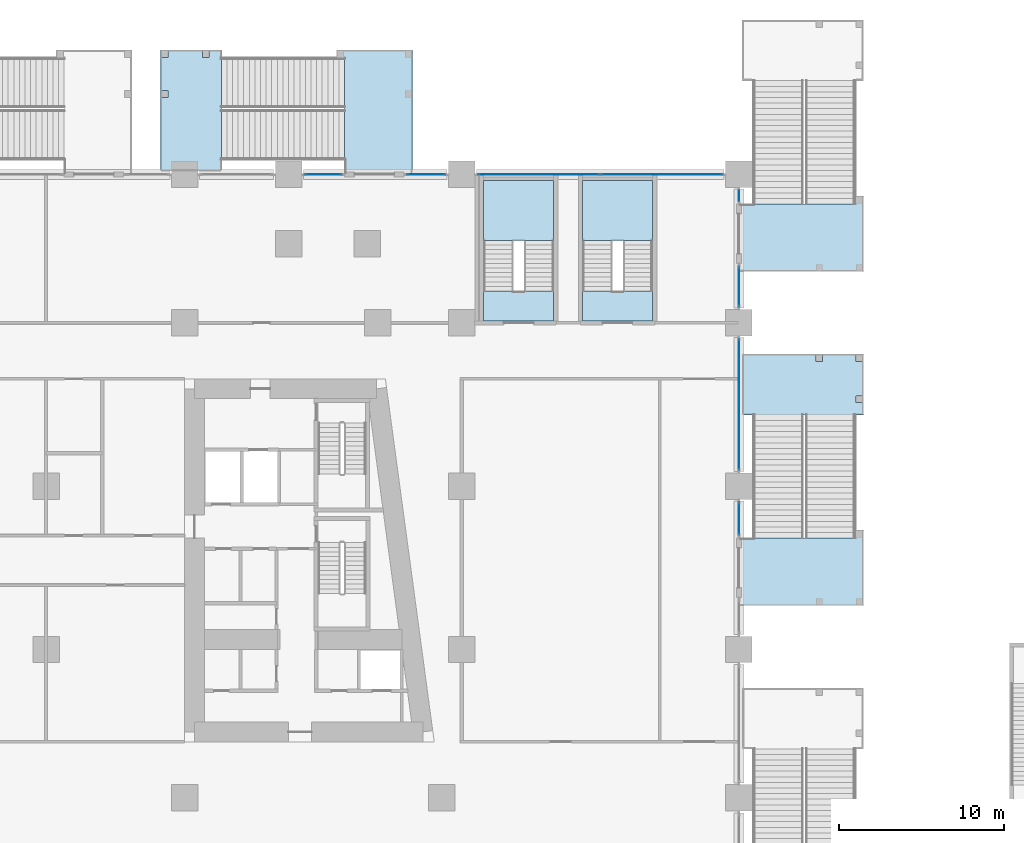
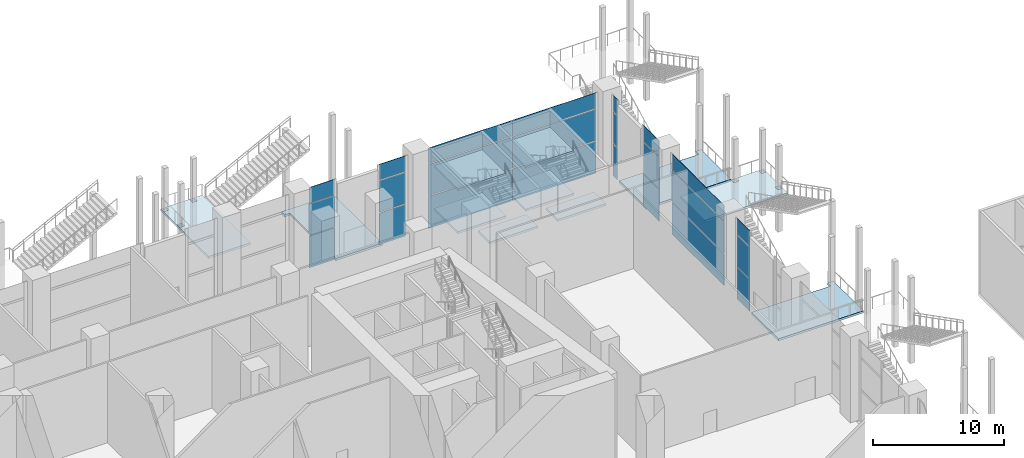
# One storey, part 21 of 52: 24 plates, 11 slabs, 11 elements without a shape of their own.
"""IFC4 building model written with IfcOpenShell, lengths in metres."""

import ifcopenshell
import ifcopenshell.guid

model = None  # the IFC model being written
_history = None  # IfcOwnerHistory: only IFC2X3 demands one
_inside = {}  # id of a spatial element -> (the spatial element, [elements in it])
_under = {}  # id of a project, library or spatial element -> (it, [spatial elements below it])
_declared = {}  # id of a project -> (the project, [libraries it declares])
_typed = {}  # id of a type object -> (the type object, [elements of that type])
_made_of = {}  # id of a material, layer set ... -> (it, [elements and type objects made of it])


def new_model(schema):
    """Start an empty IFC model of exactly this schema.

    Asked for "IFC4X3", IfcOpenShell would pick the latest addendum, in which some entities
    have other attributes; the version numbers below select the first issue.
    IFC2X3 requires an IfcOwnerHistory on every rooted entity: one is made here for all.
    """
    global model, _history
    if schema == "IFC4X3":
        model = ifcopenshell.file(schema_version=(4, 3, 0, 0))
    else:
        model = ifcopenshell.file(schema=schema)
    _inside.clear()
    _under.clear()
    _declared.clear()
    _typed.clear()
    _made_of.clear()
    _history = None
    if model.schema == "IFC2X3":
        org = make("IfcOrganization", Name="unknown")
        user = make(
            "IfcPersonAndOrganization",
            ThePerson=make("IfcPerson", FamilyName="unknown"),
            TheOrganization=org,
        )
        app = make(
            "IfcApplication",
            ApplicationDeveloper=org,
            Version="unknown",
            ApplicationFullName="unknown",
            ApplicationIdentifier="unknown",
        )
        _history = make(
            "IfcOwnerHistory",
            OwningUser=user,
            OwningApplication=app,
            ChangeAction="ADDED",
            CreationDate=0,
        )
    return model


def make(cls, **values):
    """One entity of the class cls with the attributes given. An attribute that is None is left unset."""
    return model.create_entity(
        cls, **{name: value for name, value in values.items() if value is not None}
    )


def rooted(cls, **values):
    """An entity with a GlobalId (a new one), such as an element, a storey or a relation."""
    return make(cls, GlobalId=ifcopenshell.guid.new(), OwnerHistory=_history, **values)


def si_unit(unit_type, name, prefix=None):
    """IfcSIUnit, for example si_unit("LENGTHUNIT", "METRE", prefix="MILLI")."""
    return make("IfcSIUnit", UnitType=unit_type, Prefix=prefix, Name=name)


def assignment(units):
    """IfcUnitAssignment: the units of a project."""
    return None if units is None else make("IfcUnitAssignment", Units=units)


def point(xyz):
    """IfcCartesianPoint."""
    return None if xyz is None else make("IfcCartesianPoint", Coordinates=xyz)


def direction(xyz):
    """IfcDirection."""
    return None if xyz is None else make("IfcDirection", DirectionRatios=xyz)


def frame(location, z_axis=None, x_axis=None):
    """IfcAxis2Placement3D, a coordinate frame: its origin and axes. An axis left out is left unset."""
    return make(
        "IfcAxis2Placement3D",
        Location=point(location),
        Axis=direction(z_axis),
        RefDirection=direction(x_axis),
    )


def frame_2d(location, x_axis=None):
    """IfcAxis2Placement2D, a coordinate frame in the plane: its origin and x axis."""
    return make(
        "IfcAxis2Placement2D", Location=point(location), RefDirection=direction(x_axis)
    )


def origin():
    """The frame at (0, 0, 0) with its axes left unset."""
    return frame((0.0, 0.0, 0.0))


def origin_2d():
    """The frame at (0, 0) in the plane with its x axis left unset."""
    return frame_2d((0.0, 0.0))


def place(relative_to, where):
    """IfcLocalPlacement: puts the frame where relative to a parent placement (None: the world)."""
    return make(
        "IfcLocalPlacement", PlacementRelTo=relative_to, RelativePlacement=where
    )


def context(
    kind, dimensions, precision=None, world=None, true_north=None, identifier=None
):
    """IfcGeometricRepresentationContext, for example the 3D "Model" context."""
    return make(
        "IfcGeometricRepresentationContext",
        ContextIdentifier=identifier,
        ContextType=kind,
        CoordinateSpaceDimension=dimensions,
        Precision=precision,
        WorldCoordinateSystem=world,
        TrueNorth=true_north,
    )


def subcontext(parent, identifier, kind, view, scale=None):
    """IfcGeometricRepresentationSubContext, for example "Body" below "Model"."""
    return make(
        "IfcGeometricRepresentationSubContext",
        ContextIdentifier=identifier,
        ContextType=kind,
        ParentContext=parent,
        TargetScale=scale,
        TargetView=view,
    )


def project(units=None, contexts=None):
    """IfcProject with its units and contexts."""
    return rooted(
        "IfcProject",
        Name="project",
        RepresentationContexts=contexts,
        UnitsInContext=assignment(units),
    )


def spatial(cls, under=None, at=None, **own):
    """A site, building, storey or space (cls), placed at a placement, below another one or the project."""
    s = rooted(cls, ObjectPlacement=at, **own)
    if under is not None:
        _under.setdefault(under.id(), (under, []))[1].append(s)
    return s


def polyline(points):
    """IfcPolyline through the points."""
    return make("IfcPolyline", Points=[point(p) for p in points])


def profile(cls, at=None, kind="AREA", **sizes):
    """A parametric profile (cls). Its sizes go by their IFC names, for example OverallWidth=200.0."""
    return make(cls, ProfileType=kind, Position=at, **sizes)


def rectangle(**sizes):
    """IfcRectangleProfileDef."""
    return profile("IfcRectangleProfileDef", **sizes)


def outline(outer, holes=None, kind="AREA"):
    """IfcArbitraryClosedProfileDef: a profile drawn as a closed curve; with holes, ...WithVoids."""
    if holes is None:
        return make("IfcArbitraryClosedProfileDef", ProfileType=kind, OuterCurve=outer)
    return make(
        "IfcArbitraryProfileDefWithVoids",
        ProfileType=kind,
        OuterCurve=outer,
        InnerCurves=holes,
    )


def extrude(swept, where, along, depth):
    """IfcExtrudedAreaSolid: the profile swept, set in the frame where, extruded along a direction by depth."""
    return make(
        "IfcExtrudedAreaSolid",
        SweptArea=swept,
        Position=where,
        ExtrudedDirection=direction(along),
        Depth=depth,
    )


def shape(context_of_items, identifier, shape_type, items):
    """IfcShapeRepresentation: the items that make up one representation, for example the "Body"."""
    return make(
        "IfcShapeRepresentation",
        ContextOfItems=context_of_items,
        RepresentationIdentifier=identifier,
        RepresentationType=shape_type,
        Items=items,
    )


def material(Name=None, Category=None):
    """IfcMaterial."""
    return make("IfcMaterial", Name=Name, Category=Category)


def layer(
    of_material, thickness, ventilated=None, Name=None, Category=None, Priority=None
):
    """IfcMaterialLayer: one layer of a wall or slab, of a material (None: an air gap)."""
    return make(
        "IfcMaterialLayer",
        Material=of_material,
        LayerThickness=thickness,
        IsVentilated=ventilated,
        Name=Name,
        Category=Category,
        Priority=Priority,
    )


def layer_set(layers, Name=None):
    """IfcMaterialLayerSet."""
    return make("IfcMaterialLayerSet", MaterialLayers=layers, LayerSetName=Name)


def made_of(thing, what):
    """Note that an element or type object is made of a material, layer set ...; save() writes the relation."""
    if what is not None:
        _made_of.setdefault(what.id(), (what, []))[1].append(thing)
    return thing


def type_object(cls, material=None, **own):
    """A type object (cls), such as IfcWallType, which elements share."""
    return made_of(rooted(cls, **own), material)


def element(
    cls,
    number,
    at=None,
    inside=None,
    cuts=None,
    type_object=None,
    material=None,
    context=None,
    identifier="Body",
    shape_type=None,
    held_by="IfcProductDefinitionShape",
    body=None,
    shapes=None,
    **own,
):
    """One element of the class cls, such as IfcWall. Its Tag is "e" and its number.

    at: its placement. inside: the storey or other place that contains it. cuts: it is an
    opening in that element (IfcRelVoidsElement). A single representation is given by context,
    identifier, shape_type and body (its items); several are given by shapes. held_by: the class
    of the entity that holds the representations. save() writes the other relations.
    """
    e = rooted(cls, Tag="e%d" % number, ObjectPlacement=at, **own)
    if body is not None:
        shapes = [shape(context, identifier, shape_type, body)]
    if shapes is not None:
        e.Representation = make(held_by, Representations=shapes)
    if inside is not None:
        _inside.setdefault(inside.id(), (inside, []))[1].append(e)
    if cuts is not None:
        rooted(
            "IfcRelVoidsElement", RelatingBuildingElement=cuts, RelatedOpeningElement=e
        )
    if type_object is not None:
        _typed.setdefault(type_object.id(), (type_object, []))[1].append(e)
    return made_of(e, material)


def aggregate(whole, parts):
    """IfcRelAggregates: a whole, such as a stair, and the parts it consists of."""
    return rooted("IfcRelAggregates", RelatingObject=whole, RelatedObjects=parts)


def save(model, path):
    """Write the relations noted so far, then the file.

    IfcRelAggregates (storeys below a building ...), IfcRelContainedInSpatialStructure (elements
    in a storey), IfcRelDefinesByType, IfcRelAssociatesMaterial and IfcRelDeclares: one each for
    every whole, place, type object, material and project.
    """
    for whole, parts in _under.values():
        aggregate(whole, parts)
    for where, things in _inside.values():
        rooted(
            "IfcRelContainedInSpatialStructure",
            RelatedElements=things,
            RelatingStructure=where,
        )
    for kind, things in _typed.values():
        rooted("IfcRelDefinesByType", RelatedObjects=things, RelatingType=kind)
    for what, things in _made_of.values():
        rooted("IfcRelAssociatesMaterial", RelatedObjects=things, RelatingMaterial=what)
    for by, libraries in _declared.values():
        rooted("IfcRelDeclares", RelatingContext=by, RelatedDefinitions=libraries)
    model.write(path)


model = new_model("IFC4")

# Units and contexts
model_context = context("Model", 3, precision=1e-05, world=origin(), true_north=direction((0.0, 1.0)))
body_context = subcontext(model_context, "Body", "Model", "MODEL_VIEW")
ifc_project = project(units=[si_unit("LENGTHUNIT", "METRE"), si_unit("AREAUNIT", "SQUARE_METRE"), si_unit("VOLUMEUNIT", "CUBIC_METRE"), si_unit("PLANEANGLEUNIT", "RADIAN"), si_unit("MASSUNIT", "GRAM", prefix="KILO")], contexts=[model_context])

# Site, building, storey
site_placement = place(None, origin())
site = spatial("IfcSite", under=ifc_project, at=site_placement, CompositionType="ELEMENT")
building_placement = place(site_placement, origin())
building = spatial("IfcBuilding", under=site, at=building_placement, Name="Candeia Pilgrim Tower and Theatre", CompositionType="ELEMENT")
storey_placement = place(building_placement, frame((0.0, 0.0, 9.0)))
storey = spatial("IfcBuildingStorey", under=building, at=storey_placement, Name="L01", CompositionType="ELEMENT", Elevation=9.0)

# Curtain wall, plates
ifc_material_1 = material(Name="Aluminium framed podium glazing", Category="aluminium")
curtain_wall_type = type_object("IfcCurtainWallType", Name="CW-P curtain wall", PredefinedType="NOTDEFINED", material=ifc_material_1)
curtain_wall_1_placement = place(storey_placement, origin())
curtain_wall_1 = element("IfcCurtainWall", 1, at=curtain_wall_1_placement, inside=storey, type_object=curtain_wall_type, Name="Curtain wall CW-P L01.160", PredefinedType="NOTDEFINED")
ifc_material_2 = material(Name="Laminated low-iron glass 2 x 8 mm", Category="glass")
ifc_layer_1 = layer(ifc_material_2, 0.035888671875)
ifc_layer_set_1 = layer_set([ifc_layer_1], Name="CW-P glass panel 36")
plate_type = type_object("IfcPlateType", Name="CW-P glass panel 36", PredefinedType="CURTAIN_PANEL", material=ifc_layer_set_1)
plate_1_placement = place(storey_placement, frame((134.39990234375, 144.800048828125, 0.0), z_axis=(0.0, 0.0, 1.0), x_axis=(1.0, 0.0, 0.0)))
plate_1 = element("IfcPlate", 2, at=plate_1_placement, type_object=plate_type, Name="CW-P panel 1.1", PredefinedType="CURTAIN_PANEL", context=body_context, shape_type="SweptSolid", body=[
    extrude(rectangle(XDim=2.219970703125, YDim=0.035888671875, at=origin_2d()), origin(), (0.0, 0.0, 1.0), 2.9599609375),
])
plate_2_placement = place(storey_placement, frame((134.39990234375, 144.800048828125, 3.0400390625), z_axis=(0.0, 0.0, 1.0), x_axis=(1.0, 0.0, 0.0)))
plate_2 = element("IfcPlate", 3, at=plate_2_placement, type_object=plate_type, Name="CW-P panel 1.2", PredefinedType="CURTAIN_PANEL", context=body_context, shape_type="SweptSolid", body=[
    extrude(rectangle(XDim=2.219970703125, YDim=0.035888671875, at=origin_2d()), origin(), (0.0, 0.0, 1.0), 2.919921875),
])
plate_3_placement = place(storey_placement, frame((134.39990234375, 144.800048828125, 6.0400390625), z_axis=(0.0, 0.0, 1.0), x_axis=(1.0, 0.0, 0.0)))
plate_3 = element("IfcPlate", 4, at=plate_3_placement, type_object=plate_type, Name="CW-P panel 1.3", PredefinedType="CURTAIN_PANEL", context=body_context, shape_type="SweptSolid", body=[
    extrude(rectangle(XDim=2.219970703125, YDim=0.035888671875, at=origin_2d()), origin(), (0.0, 0.0, 1.0), 1.4599609375),
])
aggregate(curtain_wall_1, [plate_1, plate_2, plate_3])

curtain_wall_2_placement = place(storey_placement, origin())
curtain_wall_2 = element("IfcCurtainWall", 5, at=curtain_wall_2_placement, inside=storey, type_object=curtain_wall_type, Name="Curtain wall CW-P L01.161", PredefinedType="NOTDEFINED")
plate_4_placement = place(storey_placement, frame((140.64990234375, 144.800048828125, 0.0), z_axis=(0.0, 0.0, 1.0), x_axis=(1.0, 0.0, 0.0)))
plate_4 = element("IfcPlate", 6, at=plate_4_placement, type_object=plate_type, Name="CW-P panel 1.1", PredefinedType="CURTAIN_PANEL", context=body_context, shape_type="SweptSolid", body=[
    extrude(rectangle(XDim=2.320068359375, YDim=0.035888671875, at=origin_2d()), origin(), (0.0, 0.0, 1.0), 2.9599609375),
])
plate_5_placement = place(storey_placement, frame((140.64990234375, 144.800048828125, 3.0400390625), z_axis=(0.0, 0.0, 1.0), x_axis=(1.0, 0.0, 0.0)))
plate_5 = element("IfcPlate", 7, at=plate_5_placement, type_object=plate_type, Name="CW-P panel 1.2", PredefinedType="CURTAIN_PANEL", context=body_context, shape_type="SweptSolid", body=[
    extrude(rectangle(XDim=2.320068359375, YDim=0.035888671875, at=origin_2d()), origin(), (0.0, 0.0, 1.0), 2.919921875),
])
plate_6_placement = place(storey_placement, frame((140.64990234375, 144.800048828125, 6.0400390625), z_axis=(0.0, 0.0, 1.0), x_axis=(1.0, 0.0, 0.0)))
plate_6 = element("IfcPlate", 8, at=plate_6_placement, type_object=plate_type, Name="CW-P panel 1.3", PredefinedType="CURTAIN_PANEL", context=body_context, shape_type="SweptSolid", body=[
    extrude(rectangle(XDim=2.320068359375, YDim=0.035888671875, at=origin_2d()), origin(), (0.0, 0.0, 1.0), 1.4599609375),
])
aggregate(curtain_wall_2, [plate_4, plate_5, plate_6])

curtain_wall_3_placement = place(storey_placement, origin())
curtain_wall_3 = element("IfcCurtainWall", 9, at=curtain_wall_3_placement, inside=storey, type_object=curtain_wall_type, Name="Curtain wall CW-P L01.170", PredefinedType="NOTDEFINED")
plate_7_placement = place(storey_placement, frame((147.47509765625, 144.800048828125, 0.0), z_axis=(0.0, 0.0, 1.0), x_axis=(1.0, 0.0, 0.0)))
plate_7 = element("IfcPlate", 10, at=plate_7_placement, type_object=plate_type, Name="CW-P panel 1.1", PredefinedType="CURTAIN_PANEL", context=body_context, shape_type="SweptSolid", body=[
    extrude(rectangle(XDim=7.3701171875, YDim=0.035888671875, at=origin_2d()), origin(), (0.0, 0.0, 1.0), 2.9599609375),
])
plate_8_placement = place(storey_placement, frame((147.47509765625, 144.800048828125, 3.0400390625), z_axis=(0.0, 0.0, 1.0), x_axis=(1.0, 0.0, 0.0)))
plate_8 = element("IfcPlate", 11, at=plate_8_placement, type_object=plate_type, Name="CW-P panel 1.2", PredefinedType="CURTAIN_PANEL", context=body_context, shape_type="SweptSolid", body=[
    extrude(rectangle(XDim=7.3701171875, YDim=0.035888671875, at=origin_2d()), origin(), (0.0, 0.0, 1.0), 2.919921875),
])
plate_9_placement = place(storey_placement, frame((147.47509765625, 144.800048828125, 6.0400390625), z_axis=(0.0, 0.0, 1.0), x_axis=(1.0, 0.0, 0.0)))
plate_9 = element("IfcPlate", 12, at=plate_9_placement, type_object=plate_type, Name="CW-P panel 1.3", PredefinedType="CURTAIN_PANEL", context=body_context, shape_type="SweptSolid", body=[
    extrude(rectangle(XDim=7.3701171875, YDim=0.035888671875, at=origin_2d()), origin(), (0.0, 0.0, 1.0), 1.4599609375),
])
plate_10_placement = place(storey_placement, frame((154.925048828125, 144.800048828125, 0.0), z_axis=(0.0, 0.0, 1.0), x_axis=(1.0, 0.0, 0.0)))
plate_10 = element("IfcPlate", 13, at=plate_10_placement, type_object=plate_type, Name="CW-P panel 2.1", PredefinedType="CURTAIN_PANEL", context=body_context, shape_type="SweptSolid", body=[
    extrude(rectangle(XDim=7.3701171875, YDim=0.035888671875, at=origin_2d()), origin(), (0.0, 0.0, 1.0), 2.9599609375),
])
plate_11_placement = place(storey_placement, frame((154.925048828125, 144.800048828125, 3.0400390625), z_axis=(0.0, 0.0, 1.0), x_axis=(1.0, 0.0, 0.0)))
plate_11 = element("IfcPlate", 14, at=plate_11_placement, type_object=plate_type, Name="CW-P panel 2.2", PredefinedType="CURTAIN_PANEL", context=body_context, shape_type="SweptSolid", body=[
    extrude(rectangle(XDim=7.3701171875, YDim=0.035888671875, at=origin_2d()), origin(), (0.0, 0.0, 1.0), 2.919921875),
])
plate_12_placement = place(storey_placement, frame((154.925048828125, 144.800048828125, 6.0400390625), z_axis=(0.0, 0.0, 1.0), x_axis=(1.0, 0.0, 0.0)))
plate_12 = element("IfcPlate", 15, at=plate_12_placement, type_object=plate_type, Name="CW-P panel 2.3", PredefinedType="CURTAIN_PANEL", context=body_context, shape_type="SweptSolid", body=[
    extrude(rectangle(XDim=7.3701171875, YDim=0.035888671875, at=origin_2d()), origin(), (0.0, 0.0, 1.0), 1.4599609375),
])
aggregate(curtain_wall_3, [plate_7, plate_8, plate_9, plate_10, plate_11, plate_12])

curtain_wall_4_placement = place(storey_placement, origin())
curtain_wall_4 = element("IfcCurtainWall", 16, at=curtain_wall_4_placement, inside=storey, type_object=curtain_wall_type, Name="Curtain wall CW-P L01.200", PredefinedType="NOTDEFINED")
plate_13_placement = place(storey_placement, frame((159.60009765625, 143.5, 0.0), z_axis=(0.0, 0.0, 1.0), x_axis=(0.0, -1.0, 0.0)))
plate_13 = element("IfcPlate", 17, at=plate_13_placement, type_object=plate_type, Name="CW-P panel 1.1", PredefinedType="CURTAIN_PANEL", context=body_context, shape_type="SweptSolid", body=[
    extrude(rectangle(XDim=0.6201171875, YDim=0.035888671875, at=origin_2d()), origin(), (0.0, 0.0, 1.0), 2.9599609375),
])
plate_14_placement = place(storey_placement, frame((159.60009765625, 143.5, 3.0400390625), z_axis=(0.0, 0.0, 1.0), x_axis=(0.0, -1.0, 0.0)))
plate_14 = element("IfcPlate", 18, at=plate_14_placement, type_object=plate_type, Name="CW-P panel 1.2", PredefinedType="CURTAIN_PANEL", context=body_context, shape_type="SweptSolid", body=[
    extrude(rectangle(XDim=0.6201171875, YDim=0.035888671875, at=origin_2d()), origin(), (0.0, 0.0, 1.0), 2.919921875),
])
plate_15_placement = place(storey_placement, frame((159.60009765625, 143.5, 6.0400390625), z_axis=(0.0, 0.0, 1.0), x_axis=(0.0, -1.0, 0.0)))
plate_15 = element("IfcPlate", 19, at=plate_15_placement, type_object=plate_type, Name="CW-P panel 1.3", PredefinedType="CURTAIN_PANEL", context=body_context, shape_type="SweptSolid", body=[
    extrude(rectangle(XDim=0.6201171875, YDim=0.035888671875, at=origin_2d()), origin(), (0.0, 0.0, 1.0), 1.4599609375),
])
aggregate(curtain_wall_4, [plate_13, plate_14, plate_15])

curtain_wall_5_placement = place(storey_placement, origin())
curtain_wall_5 = element("IfcCurtainWall", 20, at=curtain_wall_5_placement, inside=storey, type_object=curtain_wall_type, Name="Curtain wall CW-P L01.201", PredefinedType="NOTDEFINED")
plate_16_placement = place(storey_placement, frame((159.60009765625, 138.0, 0.0), z_axis=(0.0, 0.0, 1.0), x_axis=(0.0, -1.0, 0.0)))
plate_16 = element("IfcPlate", 21, at=plate_16_placement, type_object=plate_type, Name="CW-P panel 1.1", PredefinedType="CURTAIN_PANEL", context=body_context, shape_type="SweptSolid", body=[
    extrude(rectangle(XDim=2.419921875, YDim=0.035888671875, at=origin_2d()), origin(), (0.0, 0.0, 1.0), 2.9599609375),
])
plate_17_placement = place(storey_placement, frame((159.60009765625, 138.0, 3.0400390625), z_axis=(0.0, 0.0, 1.0), x_axis=(0.0, -1.0, 0.0)))
plate_17 = element("IfcPlate", 22, at=plate_17_placement, type_object=plate_type, Name="CW-P panel 1.2", PredefinedType="CURTAIN_PANEL", context=body_context, shape_type="SweptSolid", body=[
    extrude(rectangle(XDim=2.419921875, YDim=0.035888671875, at=origin_2d()), origin(), (0.0, 0.0, 1.0), 2.919921875),
])
plate_18_placement = place(storey_placement, frame((159.60009765625, 138.0, 6.0400390625), z_axis=(0.0, 0.0, 1.0), x_axis=(0.0, -1.0, 0.0)))
plate_18 = element("IfcPlate", 23, at=plate_18_placement, type_object=plate_type, Name="CW-P panel 1.3", PredefinedType="CURTAIN_PANEL", context=body_context, shape_type="SweptSolid", body=[
    extrude(rectangle(XDim=2.419921875, YDim=0.035888671875, at=origin_2d()), origin(), (0.0, 0.0, 1.0), 1.4599609375),
])
aggregate(curtain_wall_5, [plate_16, plate_17, plate_18])

curtain_wall_6_placement = place(storey_placement, origin())
curtain_wall_6 = element("IfcCurtainWall", 24, at=curtain_wall_6_placement, inside=storey, type_object=curtain_wall_type, Name="Curtain wall CW-P L01.210", PredefinedType="NOTDEFINED")
plate_19_placement = place(storey_placement, frame((159.60009765625, 130.85009765625, 0.0), z_axis=(0.0, 0.0, 1.0), x_axis=(0.0, -1.0, 0.0)))
plate_19 = element("IfcPlate", 25, at=plate_19_placement, type_object=plate_type, Name="CW-P panel 1.1", PredefinedType="CURTAIN_PANEL", context=body_context, shape_type="SweptSolid", body=[
    extrude(rectangle(XDim=7.919921875, YDim=0.035888671875, at=origin_2d()), origin(), (0.0, 0.0, 1.0), 2.9599609375),
])
plate_20_placement = place(storey_placement, frame((159.60009765625, 130.85009765625, 3.0400390625), z_axis=(0.0, 0.0, 1.0), x_axis=(0.0, -1.0, 0.0)))
plate_20 = element("IfcPlate", 26, at=plate_20_placement, type_object=plate_type, Name="CW-P panel 1.2", PredefinedType="CURTAIN_PANEL", context=body_context, shape_type="SweptSolid", body=[
    extrude(rectangle(XDim=7.919921875, YDim=0.035888671875, at=origin_2d()), origin(), (0.0, 0.0, 1.0), 2.919921875),
])
plate_21_placement = place(storey_placement, frame((159.60009765625, 130.85009765625, 6.0400390625), z_axis=(0.0, 0.0, 1.0), x_axis=(0.0, -1.0, 0.0)))
plate_21 = element("IfcPlate", 27, at=plate_21_placement, type_object=plate_type, Name="CW-P panel 1.3", PredefinedType="CURTAIN_PANEL", context=body_context, shape_type="SweptSolid", body=[
    extrude(rectangle(XDim=7.919921875, YDim=0.035888671875, at=origin_2d()), origin(), (0.0, 0.0, 1.0), 1.4599609375),
])
aggregate(curtain_wall_6, [plate_19, plate_20, plate_21])

curtain_wall_7_placement = place(storey_placement, origin())
curtain_wall_7 = element("IfcCurtainWall", 28, at=curtain_wall_7_placement, inside=storey, type_object=curtain_wall_type, Name="Curtain wall CW-P L01.220", PredefinedType="NOTDEFINED")
plate_22_placement = place(storey_placement, frame((159.60009765625, 123.925048828125, 0.0), z_axis=(0.0, 0.0, 1.0), x_axis=(0.0, -1.0, 0.0)))
plate_22 = element("IfcPlate", 29, at=plate_22_placement, type_object=plate_type, Name="CW-P panel 1.1", PredefinedType="CURTAIN_PANEL", context=body_context, shape_type="SweptSolid", body=[
    extrude(rectangle(XDim=1.969970703125, YDim=0.035888671875, at=origin_2d()), origin(), (0.0, 0.0, 1.0), 2.9599609375),
])
plate_23_placement = place(storey_placement, frame((159.60009765625, 123.925048828125, 3.0400390625), z_axis=(0.0, 0.0, 1.0), x_axis=(0.0, -1.0, 0.0)))
plate_23 = element("IfcPlate", 30, at=plate_23_placement, type_object=plate_type, Name="CW-P panel 1.2", PredefinedType="CURTAIN_PANEL", context=body_context, shape_type="SweptSolid", body=[
    extrude(rectangle(XDim=1.969970703125, YDim=0.035888671875, at=origin_2d()), origin(), (0.0, 0.0, 1.0), 2.919921875),
])
plate_24_placement = place(storey_placement, frame((159.60009765625, 123.925048828125, 6.0400390625), z_axis=(0.0, 0.0, 1.0), x_axis=(0.0, -1.0, 0.0)))
plate_24 = element("IfcPlate", 31, at=plate_24_placement, type_object=plate_type, Name="CW-P panel 1.3", PredefinedType="CURTAIN_PANEL", context=body_context, shape_type="SweptSolid", body=[
    extrude(rectangle(XDim=1.969970703125, YDim=0.035888671875, at=origin_2d()), origin(), (0.0, 0.0, 1.0), 1.4599609375),
])
aggregate(curtain_wall_7, [plate_22, plate_23, plate_24])

# Slabs
ifc_material_3 = material(Name="Concrete C40/50", Category="concrete")
ifc_layer_2 = layer(ifc_material_3, 0.199951171875)
ifc_layer_set_2 = layer_set([ifc_layer_2], Name="SL-EXT stair landing")
slab_type_1 = type_object("IfcSlabType", Name="SL-EXT stair landing", PredefinedType="LANDING", material=ifc_layer_set_2)
slab_1_placement = place(storey_placement, frame((0.0, 0.0, -0.199951171875)))
element("IfcSlab", 32, at=slab_1_placement, inside=storey, type_object=slab_type_1, Name="L01 External escape stair ES2 floor landing", PredefinedType="LANDING", context=body_context, shape_type="SweptSolid", body=[
    extrude(outline(polyline([(159.64990234375, 138.89990234375), (159.64990234375, 143.02001953125), (166.64990234375, 143.02001953125), (166.64990234375, 143.5), (167.14990234375, 143.5), (167.14990234375, 138.89990234375), (159.64990234375, 138.89990234375)])), origin(), (0.0, 0.0, 1.0), 0.199951171875),
])
slab_2_placement = place(storey_placement, frame((0.0, 0.0, -0.199951171875)))
element("IfcSlab", 33, at=slab_2_placement, inside=storey, type_object=slab_type_1, Name="L01 External escape stair ES7 floor landing", PredefinedType="LANDING", context=body_context, shape_type="SweptSolid", body=[
    extrude(outline(polyline([(139.800048828125, 144.85009765625), (135.679931640625, 144.85009765625), (135.679931640625, 151.85009765625), (135.199951171875, 151.85009765625), (135.199951171875, 152.35009765625), (139.800048828125, 152.35009765625), (139.800048828125, 144.85009765625)])), origin(), (0.0, 0.0, 1.0), 0.199951171875),
])

# Stair, slab
stair_type_1 = type_object("IfcStairType", Name="ST-EXT external escape stair", PredefinedType="HALF_TURN_STAIR", material=ifc_material_3)
stair_1_placement = place(storey_placement, origin())
stair_1 = element("IfcStair", 34, at=stair_1_placement, inside=storey, type_object=stair_type_1, Name="L01 External escape stair ES7", PredefinedType="HALF_TURN_STAIR")
slab_3_placement = place(storey_placement, frame((0.0, 0.0, 3.800048828125)))
slab_3 = element("IfcSlab", 35, at=slab_3_placement, type_object=slab_type_1, Name="L01 External escape stair ES7 landing", PredefinedType="LANDING", context=body_context, shape_type="SweptSolid", body=[
    extrude(outline(polyline([(128.239990234375, 145.0), (124.5400390625, 145.0), (124.5400390625, 152.35009765625), (128.239990234375, 152.35009765625), (128.239990234375, 145.0)]), holes=[polyline([(127.090087890625, 151.89990234375), (127.489990234375, 151.89990234375), (127.489990234375, 152.300048828125), (127.090087890625, 152.300048828125), (127.090087890625, 151.89990234375)]), polyline([(124.590087890625, 151.89990234375), (124.989990234375, 151.89990234375), (124.989990234375, 152.300048828125), (124.590087890625, 152.300048828125), (124.590087890625, 151.89990234375)]), polyline([(124.590087890625, 149.47509765625), (124.989990234375, 149.47509765625), (124.989990234375, 149.875), (124.590087890625, 149.875), (124.590087890625, 149.47509765625)])]), origin(), (0.0, 0.0, 1.0), 0.199951171875),
])
aggregate(stair_1, [slab_3])

# Slab
slab_4_placement = place(storey_placement, frame((0.0, 0.0, -0.199951171875)))
element("IfcSlab", 36, at=slab_4_placement, inside=storey, type_object=slab_type_1, Name="L01 External escape stair ES14 floor landing", PredefinedType="LANDING", context=body_context, shape_type="SweptSolid", body=[
    extrude(outline(polyline([(159.64990234375, 118.64990234375), (159.64990234375, 122.77001953125), (166.64990234375, 122.77001953125), (166.64990234375, 123.25), (167.14990234375, 123.25), (167.14990234375, 118.64990234375), (159.64990234375, 118.64990234375)])), origin(), (0.0, 0.0, 1.0), 0.199951171875),
])

# Stair, slab
stair_2_placement = place(storey_placement, origin())
stair_2 = element("IfcStair", 37, at=stair_2_placement, inside=storey, type_object=stair_type_1, Name="L01 External escape stair ES14", PredefinedType="HALF_TURN_STAIR")
slab_5_placement = place(storey_placement, frame((0.0, 0.0, 3.800048828125)))
slab_5 = element("IfcSlab", 38, at=slab_5_placement, type_object=slab_type_1, Name="L01 External escape stair ES14 landing", PredefinedType="LANDING", context=body_context, shape_type="SweptSolid", body=[
    extrude(outline(polyline([(159.800048828125, 130.2099609375), (159.800048828125, 133.909912109375), (167.14990234375, 133.909912109375), (167.14990234375, 130.2099609375), (159.800048828125, 130.2099609375)]), holes=[polyline([(166.699951171875, 130.9599609375), (167.10009765625, 130.9599609375), (167.10009765625, 131.360107421875), (166.699951171875, 131.360107421875), (166.699951171875, 130.9599609375)]), polyline([(166.699951171875, 133.4599609375), (167.10009765625, 133.4599609375), (167.10009765625, 133.860107421875), (166.699951171875, 133.860107421875), (166.699951171875, 133.4599609375)]), polyline([(164.27490234375, 133.4599609375), (164.675048828125, 133.4599609375), (164.675048828125, 133.860107421875), (164.27490234375, 133.860107421875), (164.27490234375, 133.4599609375)])]), origin(), (0.0, 0.0, 1.0), 0.199951171875),
])
aggregate(stair_2, [slab_5])

# Stair, slabs
stair_type_2 = type_object("IfcStairType", Name="ST-POD dog-leg escape stair", PredefinedType="HALF_TURN_STAIR", material=ifc_material_3)
stair_3_placement = place(storey_placement, origin())
stair_3 = element("IfcStair", 39, at=stair_3_placement, inside=storey, type_object=stair_type_2, Name="L01 Escape stair PS3", PredefinedType="HALF_TURN_STAIR")
ifc_layer_3 = layer(ifc_material_3, 0.199951171875)
ifc_layer_set_3 = layer_set([ifc_layer_3], Name="SL-POD stair landing")
slab_type_2 = type_object("IfcSlabType", Name="SL-POD stair landing", PredefinedType="LANDING", material=ifc_layer_set_3)
slab_6_placement = place(storey_placement, frame((0.0, 0.0, 1.800048828125)))
slab_6 = element("IfcSlab", 40, at=slab_6_placement, type_object=slab_type_2, Name="PS3 landing 1", PredefinedType="LANDING", context=body_context, shape_type="SweptSolid", body=[
    extrude(outline(polyline([(148.375, 140.804931640625), (148.375, 144.425048828125), (144.125, 144.425048828125), (144.125, 140.804931640625), (148.375, 140.804931640625)])), origin(), (0.0, 0.0, 1.0), 0.199951171875),
])
slab_7_placement = place(storey_placement, frame((0.0, 0.0, 3.800048828125)))
slab_7 = element("IfcSlab", 41, at=slab_7_placement, type_object=slab_type_2, Name="PS3 landing 2", PredefinedType="LANDING", context=body_context, shape_type="SweptSolid", body=[
    extrude(outline(polyline([(148.375, 135.925048828125), (148.375, 137.72509765625), (144.125, 137.72509765625), (144.125, 135.925048828125), (148.375, 135.925048828125)])), origin(), (0.0, 0.0, 1.0), 0.199951171875),
])
slab_8_placement = place(storey_placement, frame((0.0, 0.0, 5.800048828125)))
slab_8 = element("IfcSlab", 42, at=slab_8_placement, type_object=slab_type_2, Name="PS3 landing 3", PredefinedType="LANDING", context=body_context, shape_type="SweptSolid", body=[
    extrude(outline(polyline([(148.375, 140.804931640625), (148.375, 144.425048828125), (144.125, 144.425048828125), (144.125, 140.804931640625), (148.375, 140.804931640625)])), origin(), (0.0, 0.0, 1.0), 0.199951171875),
])
aggregate(stair_3, [slab_6, slab_7, slab_8])

stair_4_placement = place(storey_placement, origin())
stair_4 = element("IfcStair", 43, at=stair_4_placement, inside=storey, type_object=stair_type_2, Name="L01 Escape stair PS4", PredefinedType="HALF_TURN_STAIR")
slab_9_placement = place(storey_placement, frame((0.0, 0.0, 1.800048828125)))
slab_9 = element("IfcSlab", 44, at=slab_9_placement, type_object=slab_type_2, Name="PS4 landing 1", PredefinedType="LANDING", context=body_context, shape_type="SweptSolid", body=[
    extrude(outline(polyline([(154.375, 140.804931640625), (154.375, 144.425048828125), (150.125, 144.425048828125), (150.125, 140.804931640625), (154.375, 140.804931640625)])), origin(), (0.0, 0.0, 1.0), 0.199951171875),
])
slab_10_placement = place(storey_placement, frame((0.0, 0.0, 3.800048828125)))
slab_10 = element("IfcSlab", 45, at=slab_10_placement, type_object=slab_type_2, Name="PS4 landing 2", PredefinedType="LANDING", context=body_context, shape_type="SweptSolid", body=[
    extrude(outline(polyline([(154.375, 135.925048828125), (154.375, 137.72509765625), (150.125, 137.72509765625), (150.125, 135.925048828125), (154.375, 135.925048828125)])), origin(), (0.0, 0.0, 1.0), 0.199951171875),
])
slab_11_placement = place(storey_placement, frame((0.0, 0.0, 5.800048828125)))
slab_11 = element("IfcSlab", 46, at=slab_11_placement, type_object=slab_type_2, Name="PS4 landing 3", PredefinedType="LANDING", context=body_context, shape_type="SweptSolid", body=[
    extrude(outline(polyline([(154.375, 140.804931640625), (154.375, 144.425048828125), (150.125, 144.425048828125), (150.125, 140.804931640625), (154.375, 140.804931640625)])), origin(), (0.0, 0.0, 1.0), 0.199951171875),
])
aggregate(stair_4, [slab_9, slab_10, slab_11])

save(model, "model.ifc")
